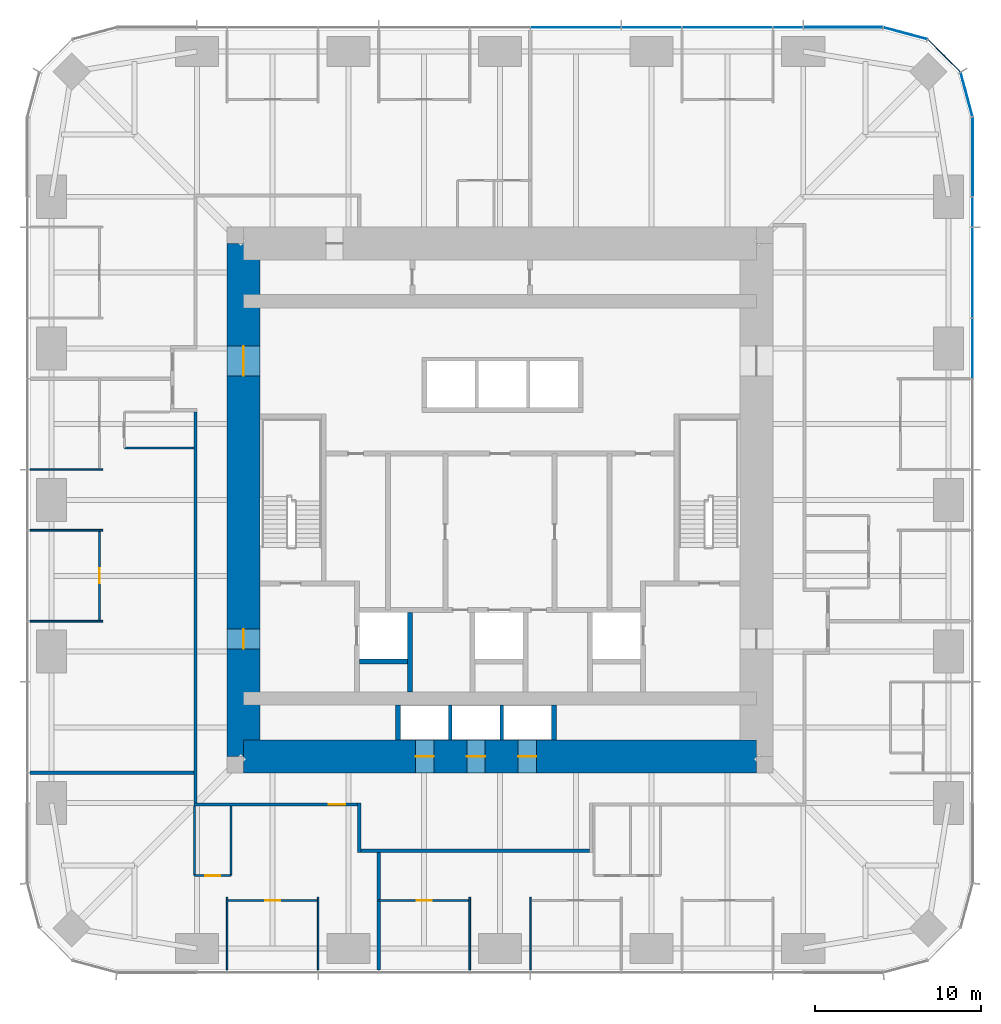
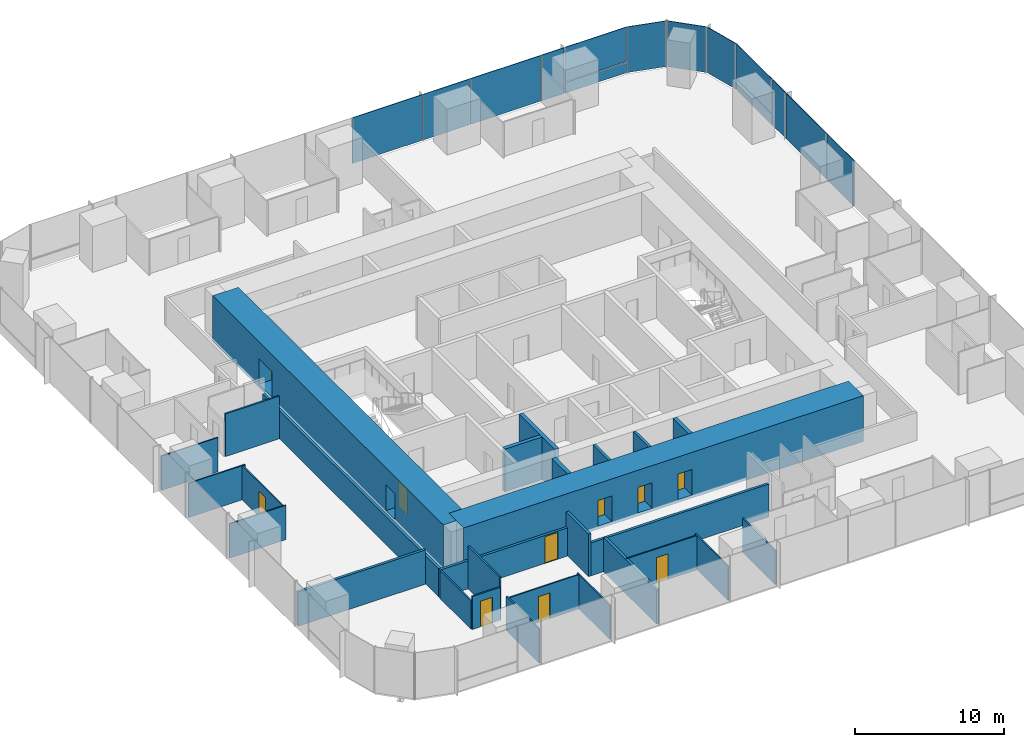
# One storey, part 8 of 12: 28 walls, 14 plates, 10 doors, 10 openings, 3 elements without a shape of their own.
"""IFC4 building model written with IfcOpenShell, lengths in metres."""

from ifc_helpers import new_model, si_unit, direction, frame, frame_2d, origin, origin_2d, place, context, subcontext, project, spatial, rectangle, extrude, material, layer, layer_set, type_object, element, fill, aggregate, save


model = new_model("IFC4")

# Units and contexts
model_context = context("Model", 3, precision=1e-05, world=origin(), true_north=direction((0.0, 1.0)))
body_context = subcontext(model_context, "Body", "Model", "MODEL_VIEW")
ifc_project = project(units=[si_unit("LENGTHUNIT", "METRE"), si_unit("AREAUNIT", "SQUARE_METRE"), si_unit("VOLUMEUNIT", "CUBIC_METRE"), si_unit("PLANEANGLEUNIT", "RADIAN"), si_unit("MASSUNIT", "GRAM", prefix="KILO")], contexts=[model_context])

# Site, building, storey
site_placement = place(None, origin())
site = spatial("IfcSite", under=ifc_project, at=site_placement, CompositionType="ELEMENT")
building_placement = place(site_placement, origin())
building = spatial("IfcBuilding", under=site, at=building_placement, Name="Khuree Lantern Residences", CompositionType="ELEMENT")
storey_placement = place(building_placement, frame((0.0, 0.0, 167.25)))
storey = spatial("IfcBuildingStorey", under=building, at=storey_placement, Name="L42", CompositionType="ELEMENT", Elevation=167.25)

# Curtain wall, plates
ifc_material_1 = material(Name="Bronze anodised aluminium", Category="aluminium")
curtain_wall_type_1 = type_object("IfcCurtainWallType", Name="CW-T2 TOWER CORNER CURTAIN WALL", PredefinedType="USERDEFINED", material=ifc_material_1)
curtain_wall_1_placement = place(storey_placement, origin())
curtain_wall_1 = element("IfcCurtainWall", 1, at=curtain_wall_1_placement, inside=storey, type_object=curtain_wall_type_1, Name="L42 NORTH-EAST CORNER CURTAIN WALL", ObjectType="Faceted corner curtain wall", PredefinedType="USERDEFINED")
ifc_material_2 = material(Name="Bronze tinted triple glazing", Category="glass")
ifc_layer_1 = layer(ifc_material_2, 0.048095703125)
ifc_layer_set_1 = layer_set([ifc_layer_1], Name="FACET PANEL P4")
plate_type_1 = type_object("IfcPlateType", Name="FACET PANEL P4", PredefinedType="CURTAIN_PANEL", material=ifc_layer_set_1)
plate_1_placement = place(storey_placement, frame((28.188720703125, 24.498046875, 0.0), z_axis=(0.0, 0.0, 1.0), x_axis=(-0.258819105321, 0.965925810153, 0.0)))
plate_1 = element("IfcPlate", 2, at=plate_1_placement, type_object=plate_type_1, Name="L42 NORTH-EAST CORNER PANEL 15.1", PredefinedType="CURTAIN_PANEL", context=body_context, shape_type="SweptSolid", body=[
    extrude(rectangle(XDim=2.71923828125, YDim=0.048095703125, at=origin_2d()), origin(), (0.0, 0.0, 1.0), 3.75),
])
plate_2_placement = place(storey_placement, frame((26.83837890625, 26.83837890625, 0.0), z_axis=(0.0, 0.0, 1.0), x_axis=(-0.707106781187, 0.707106781187, 0.0)))
plate_2 = element("IfcPlate", 3, at=plate_2_placement, type_object=plate_type_1, Name="L42 NORTH-EAST CORNER PANEL 16.1", PredefinedType="CURTAIN_PANEL", context=body_context, shape_type="SweptSolid", body=[
    extrude(rectangle(XDim=2.715087890625, YDim=0.048095703125, at=origin_2d()), origin(), (0.0, 0.0, 1.0), 3.75),
])
plate_3_placement = place(storey_placement, frame((24.498046875, 28.188720703125, 0.0), z_axis=(0.0, 0.0, 1.0), x_axis=(-0.965925810153, 0.258819105321, 0.0)))
plate_3 = element("IfcPlate", 4, at=plate_3_placement, type_object=plate_type_1, Name="L42 NORTH-EAST CORNER PANEL 17.1", PredefinedType="CURTAIN_PANEL", context=body_context, shape_type="SweptSolid", body=[
    extrude(rectangle(XDim=2.71923828125, YDim=0.048095703125, at=origin_2d()), origin(), (0.0, 0.0, 1.0), 3.75),
])
aggregate(curtain_wall_1, [plate_1, plate_2, plate_3])

# Curtain wall, plate
curtain_wall_type_2 = type_object("IfcCurtainWallType", Name="CW-T1 TOWER FACE CURTAIN WALL", PredefinedType="USERDEFINED", material=ifc_material_1)
curtain_wall_2_placement = place(storey_placement, origin())
curtain_wall_2 = element("IfcCurtainWall", 5, at=curtain_wall_2_placement, inside=storey, type_object=curtain_wall_type_2, Name="L42 EAST FACE CURTAIN WALL", ObjectType="Stick-built curtain wall", PredefinedType="USERDEFINED")
ifc_material_3 = material(Name="Bronze tinted triple glazing with a ceramic-fritted spandrel band", Category="glass")
ifc_layer_2 = layer(ifc_material_3, 0.048095703125)
ifc_layer_set_2 = layer_set([ifc_layer_2], Name="FIXED LIGHT PANEL P11")
plate_type_2 = type_object("IfcPlateType", Name="FIXED LIGHT PANEL P11", PredefinedType="CURTAIN_PANEL", material=ifc_layer_set_2)
plate_4_placement = place(storey_placement, frame((28.550048828125, 13.739990234375, 0.0), z_axis=(0.0, 0.0, 1.0), x_axis=(0.0, 1.0, 0.0)))
plate_4 = element("IfcPlate", 6, at=plate_4_placement, type_object=plate_type_2, Name="L42 EAST FACE PANEL 12.1", PredefinedType="CURTAIN_PANEL", context=body_context, shape_type="SweptSolid", body=[
    extrude(rectangle(XDim=5.430908203125, YDim=0.048095703125, at=origin_2d()), origin(), (0.0, 0.0, 1.0), 3.75),
])

# Curtain wall, plates
curtain_wall_3_placement = place(storey_placement, origin())
curtain_wall_3 = element("IfcCurtainWall", 7, at=curtain_wall_3_placement, inside=storey, type_object=curtain_wall_type_2, Name="L42 NORTH FACE CURTAIN WALL", ObjectType="Stick-built curtain wall", PredefinedType="USERDEFINED")
plate_5_placement = place(storey_placement, frame((13.739990234375, 28.550048828125, 0.0), z_axis=(0.0, 0.0, 1.0), x_axis=(-1.0, 0.0, 0.0)))
plate_5 = element("IfcPlate", 8, at=plate_5_placement, type_object=plate_type_2, Name="L42 NORTH FACE PANEL 20.1", PredefinedType="CURTAIN_PANEL", context=body_context, shape_type="SweptSolid", body=[
    extrude(rectangle(XDim=5.430908203125, YDim=0.048095703125, at=origin_2d()), origin(), (0.0, 0.0, 1.0), 3.75),
])
plate_6_placement = place(storey_placement, frame((4.580078125, 28.550048828125, 0.0), z_axis=(0.0, 0.0, 1.0), x_axis=(-1.0, 0.0, 0.0)))
plate_6 = element("IfcPlate", 9, at=plate_6_placement, type_object=plate_type_2, Name="L42 NORTH FACE PANEL 22.1", PredefinedType="CURTAIN_PANEL", context=body_context, shape_type="SweptSolid", body=[
    extrude(rectangle(XDim=5.430908203125, YDim=0.048095703125, at=origin_2d()), origin(), (0.0, 0.0, 1.0), 3.75),
])

# Plate
ifc_material_4 = material(Name="Bronze tinted triple glazing, two aluminium-framed sashes in one frame", Category="aluminium")
ifc_layer_3 = layer(ifc_material_4, 0.048095703125)
ifc_layer_set_3 = layer_set([ifc_layer_3], Name="SASH PAIR PANEL P12")
plate_type_3 = type_object("IfcPlateType", Name="SASH PAIR PANEL P12", PredefinedType="CURTAIN_PANEL", material=ifc_layer_set_3)
plate_7_placement = place(storey_placement, frame((28.550048828125, 9.159912109375, 0.0), z_axis=(0.0, 0.0, 1.0), x_axis=(0.0, 1.0, 0.0)))
plate_7 = element("IfcPlate", 10, at=plate_7_placement, type_object=plate_type_3, Name="L42 EAST FACE PANEL 11.1", PredefinedType="CURTAIN_PANEL", context=body_context, shape_type="SweptSolid", body=[
    extrude(rectangle(XDim=3.59912109375, YDim=0.048095703125, at=origin_2d()), origin(), (0.0, 0.0, 1.0), 3.75),
])

plate_8_placement = place(storey_placement, frame((9.159912109375, 28.550048828125, 0.0), z_axis=(0.0, 0.0, 1.0), x_axis=(-1.0, 0.0, 0.0)))
plate_8 = element("IfcPlate", 11, at=plate_8_placement, type_object=plate_type_3, Name="L42 NORTH FACE PANEL 21.1", PredefinedType="CURTAIN_PANEL", context=body_context, shape_type="SweptSolid", body=[
    extrude(rectangle(XDim=3.59912109375, YDim=0.048095703125, at=origin_2d()), origin(), (0.0, 0.0, 1.0), 3.75),
])

ifc_material_5 = material(Name="Bronze tinted triple glazing, aluminium-framed sash", Category="aluminium")
ifc_layer_4 = layer(ifc_material_5, 0.048095703125)
ifc_layer_set_4 = layer_set([ifc_layer_4], Name="SASH PANEL P3")
plate_type_4 = type_object("IfcPlateType", Name="SASH PANEL P3", PredefinedType="CURTAIN_PANEL", material=ifc_layer_set_4)
plate_9_placement = place(storey_placement, frame((28.550048828125, 17.404052734375, 0.0), z_axis=(0.0, 0.0, 1.0), x_axis=(0.0, 1.0, 0.0)))
plate_9 = element("IfcPlate", 12, at=plate_9_placement, type_object=plate_type_4, Name="L42 EAST FACE PANEL 13.1", PredefinedType="CURTAIN_PANEL", context=body_context, shape_type="SweptSolid", body=[
    extrude(rectangle(XDim=1.76708984375, YDim=0.048095703125, at=origin_2d()), origin(), (0.0, 0.0, 1.0), 3.75),
])

plate_10_placement = place(storey_placement, frame((17.404052734375, 28.550048828125, 0.0), z_axis=(0.0, 0.0, 1.0), x_axis=(-1.0, 0.0, 0.0)))
plate_10 = element("IfcPlate", 13, at=plate_10_placement, type_object=plate_type_4, Name="L42 NORTH FACE PANEL 19.1", PredefinedType="CURTAIN_PANEL", context=body_context, shape_type="SweptSolid", body=[
    extrude(rectangle(XDim=1.76708984375, YDim=0.048095703125, at=origin_2d()), origin(), (0.0, 0.0, 1.0), 3.75),
])

ifc_material_6 = material(Name="Bronze anodised aluminium insulated spandrel", Category="aluminium")
ifc_layer_5 = layer(ifc_material_6, 0.06005859375)
ifc_layer_set_5 = layer_set([ifc_layer_5], Name="SPANDREL PANEL P2")
plate_type_5 = type_object("IfcPlateType", Name="SPANDREL PANEL P2", PredefinedType="CURTAIN_PANEL", material=ifc_layer_set_5)
plate_11_placement = place(storey_placement, frame((28.550048828125, 20.73291015625, 0.0), z_axis=(0.0, 0.0, 1.0), x_axis=(0.0, 1.0, 0.0)))
plate_11 = element("IfcPlate", 14, at=plate_11_placement, type_object=plate_type_5, Name="L42 EAST FACE PANEL 14.1", PredefinedType="CURTAIN_PANEL", context=body_context, shape_type="SweptSolid", body=[
    extrude(rectangle(XDim=4.7607421875, YDim=0.06005859375, at=origin_2d()), origin(), (0.0, 0.0, 1.0), 0.867431640625),
])

plate_12_placement = place(storey_placement, frame((20.73291015625, 28.550048828125, 0.0), z_axis=(0.0, 0.0, 1.0), x_axis=(-1.0, 0.0, 0.0)))
plate_12 = element("IfcPlate", 15, at=plate_12_placement, type_object=plate_type_5, Name="L42 NORTH FACE PANEL 18.1", PredefinedType="CURTAIN_PANEL", context=body_context, shape_type="SweptSolid", body=[
    extrude(rectangle(XDim=4.7607421875, YDim=0.06005859375, at=origin_2d()), origin(), (0.0, 0.0, 1.0), 0.867431640625),
])

ifc_layer_6 = layer(ifc_material_2, 0.048095703125)
ifc_layer_set_6 = layer_set([ifc_layer_6], Name="VISION PANEL P1")
plate_type_6 = type_object("IfcPlateType", Name="VISION PANEL P1", PredefinedType="CURTAIN_PANEL", material=ifc_layer_set_6)
plate_13_placement = place(storey_placement, frame((28.550048828125, 20.7333984375, 0.9326171875), z_axis=(0.0, 0.0, 1.0), x_axis=(0.0, 1.0, 0.0)))
plate_13 = element("IfcPlate", 16, at=plate_13_placement, type_object=plate_type_6, Name="L42 EAST FACE PANEL 14.2", PredefinedType="CURTAIN_PANEL", context=body_context, shape_type="SweptSolid", body=[
    extrude(rectangle(XDim=4.761474609375, YDim=0.048095703125, at=origin_2d()), origin(), (0.0, 0.0, 1.0), 2.8173828125),
])

aggregate(curtain_wall_2, [plate_7, plate_4, plate_9, plate_11, plate_13])

plate_14_placement = place(storey_placement, frame((20.7333984375, 28.550048828125, 0.9326171875), z_axis=(0.0, 0.0, 1.0), x_axis=(-1.0, 0.0, 0.0)))
plate_14 = element("IfcPlate", 17, at=plate_14_placement, type_object=plate_type_6, Name="L42 NORTH FACE PANEL 18.2", PredefinedType="CURTAIN_PANEL", context=body_context, shape_type="SweptSolid", body=[
    extrude(rectangle(XDim=4.761474609375, YDim=0.048095703125, at=origin_2d()), origin(), (0.0, 0.0, 1.0), 2.8173828125),
])

aggregate(curtain_wall_3, [plate_12, plate_14, plate_10, plate_5, plate_8, plate_6])

# Wall
ifc_material_7 = material(Name="Moisture-resistant gypsum board on steel studs", Category="steel")
ifc_layer_7 = layer(ifc_material_7, 0.125)
ifc_layer_set_7 = layer_set([ifc_layer_7], Name="BATHROOM WALL BTW125")
wall_type_1 = type_object("IfcWallType", Name="BATHROOM WALL BTW125", PredefinedType="PARTITIONING", material=ifc_layer_set_7)
wall_1_placement = place(storey_placement, frame((-18.5, 3.1279296875, 0.0), z_axis=(0.0, 0.0, 1.0), x_axis=(-1.0, 0.0, 0.0)))
element("IfcWall", 18, at=wall_1_placement, inside=storey, type_object=wall_type_1, Name="L42 BATHROOM WALL 03", PredefinedType="PARTITIONING", context=body_context, shape_type="SweptSolid", body=[
    extrude(rectangle(XDim=4.199951171875, YDim=0.125, at=frame_2d((2.10009765625, 0.0))), origin(), (0.0, 0.0, 1.0), 3.5),
])

# Wall, opening, door
wall_2_placement = place(storey_placement, frame((-18.449951171875, -22.699951171875, 0.0), z_axis=(0.0, 0.0, 1.0), x_axis=(1.0, 0.0, 0.0)))
wall_2 = element("IfcWall", 19, at=wall_2_placement, inside=storey, type_object=wall_type_1, Name="L42 BATHROOM WALL 04", PredefinedType="PARTITIONING", context=body_context, shape_type="SweptSolid", body=[
    extrude(rectangle(XDim=2.199951171875, YDim=0.125, at=frame_2d((1.10009765625, 0.0))), origin(), (0.0, 0.0, 1.0), 2.699951171875),
])
opening_1_placement = place(wall_2_placement, frame((0.64990234375, 0.0, 0.0)))
opening_1 = element("IfcOpeningElement", 20, at=opening_1_placement, cuts=wall_2, Name="Opening 42-040", PredefinedType="OPENING", context=body_context, shape_type="SweptSolid", body=[
    extrude(rectangle(XDim=0.89990234375, YDim=2.10009765625, at=frame_2d((0.449951171875, 1.050048828125))), frame((0.0, 0.072509765625, 0.0), z_axis=(0.0, -1.0, 0.0), x_axis=(1.0, 0.0, 0.0)), (0.0, 0.0, 1.0), 0.14501953125),
])
ifc_material_8 = material(Name="Timber door leaf in hardwood frame", Category="wood")
door_type_1 = type_object("IfcDoorType", Name="BATHROOM DOOR 900X2100", OperationType="SINGLE_SWING_LEFT", PredefinedType="DOOR", material=ifc_material_8)
door_1_placement = place(opening_1_placement, origin())
door_1 = element("IfcDoor", 21, at=door_1_placement, inside=storey, type_object=door_type_1, Name="Bathroom door 42-040", OperationType="SINGLE_SWING_LEFT", OverallHeight=2.10009765625, OverallWidth=0.89990234375, PredefinedType="DOOR", context=body_context, shape_type="SweptSolid", body=[
    extrude(rectangle(XDim=0.89990234375, YDim=2.10009765625, at=frame_2d((0.449951171875, 1.050048828125))), frame((0.0, 0.02490234375, 0.0), z_axis=(0.0, -1.0, 0.0), x_axis=(1.0, 0.0, 0.0)), (0.0, 0.0, 1.0), 0.050048828125),
])
fill(opening_1, door_1)

# Walls
wall_3_placement = place(storey_placement, frame((-18.449951171875, -18.5, 0.0), z_axis=(0.0, 0.0, 1.0), x_axis=(0.0, -1.0, 0.0)))
element("IfcWall", 22, at=wall_3_placement, inside=storey, type_object=wall_type_1, Name="L42 BATHROOM WALL 04", PredefinedType="PARTITIONING", context=body_context, shape_type="SweptSolid", body=[
    extrude(rectangle(XDim=4.199951171875, YDim=0.125, at=frame_2d((2.10009765625, 0.0))), origin(), (0.0, 0.0, 1.0), 2.300048828125),
])
wall_4_placement = place(storey_placement, frame((-16.25, -18.5, 0.0), z_axis=(0.0, 0.0, 1.0), x_axis=(0.0, -1.0, 0.0)))
element("IfcWall", 23, at=wall_4_placement, inside=storey, type_object=wall_type_1, Name="L42 BATHROOM WALL 04", PredefinedType="PARTITIONING", context=body_context, shape_type="SweptSolid", body=[
    extrude(rectangle(XDim=4.199951171875, YDim=0.125, at=frame_2d((2.10009765625, 0.0))), origin(), (0.0, 0.0, 1.0), 3.5),
])
ifc_material_9 = material(Name="Dense concrete blockwork", Category="masonry")
ifc_layer_8 = layer(ifc_material_9, 0.300048828125)
ifc_layer_set_8 = layer_set([ifc_layer_8], Name="CORE PARTITION WALL CPW300 EI 120")
wall_type_2 = type_object("IfcWallType", Name="CORE PARTITION WALL CPW300 EI 120", PredefinedType="PARTITIONING", material=ifc_layer_set_8)
wall_5_placement = place(storey_placement, frame((-5.449951171875, -11.60009765625, 0.0), z_axis=(0.0, 0.0, 1.0), x_axis=(0.0, 1.0, 0.0)))
element("IfcWall", 24, at=wall_5_placement, inside=storey, type_object=wall_type_2, Name="L42 CORE WALL FL1E", PredefinedType="PARTITIONING", context=body_context, shape_type="SweptSolid", body=[
    extrude(rectangle(XDim=4.800048828125, YDim=0.300048828125, at=frame_2d((2.39990234375, 0.0))), origin(), (0.0, 0.0, 1.0), 3.5),
])
wall_6_placement = place(storey_placement, frame((-8.5, -9.75, 0.0), z_axis=(0.0, 0.0, 1.0), x_axis=(1.0, 0.0, 0.0)))
element("IfcWall", 25, at=wall_6_placement, inside=storey, type_object=wall_type_2, Name="L42 CORE WALL FL1S", PredefinedType="PARTITIONING", context=body_context, shape_type="SweptSolid", body=[
    extrude(rectangle(XDim=2.89990234375, YDim=0.300048828125, at=frame_2d((1.449951171875, 0.0))), origin(), (0.0, 0.0, 1.0), 3.5),
])
for number, where, z_axis, x_axis, name in (
    (26, (-6.14990234375, -14.5, 0.0), (0.0, 0.0, 1.0), (0.0, 1.0, 0.0), "L42 CORE WALL PMW"),
    (27, (3.25, -14.5, 0.0), (0.0, 0.0, 1.0), (0.0, 1.0, 0.0), "L42 CORE WALL PME"),
):
    element("IfcWall", number, at=place(storey_placement, frame(where, z_axis=z_axis, x_axis=x_axis)), inside=storey, type_object=wall_type_2, Name=name, PredefinedType="PARTITIONING", context=body_context, shape_type="SweptSolid", body=[
        extrude(rectangle(XDim=2.10009765625, YDim=0.300048828125, at=frame_2d((1.050048828125, 0.0))), origin(), (0.0, 0.0, 1.0), 3.5),
    ])
ifc_material_10 = material(Name="Gypsum board on steel studs", Category="steel")
ifc_layer_9 = layer(ifc_material_10, 0.199951171875)
ifc_layer_set_9 = layer_set([ifc_layer_9], Name="CORRIDOR WALL CRW200 EI 60")
wall_type_3 = type_object("IfcWallType", Name="CORRIDOR WALL CRW200 EI 60", PredefinedType="PARTITIONING", material=ifc_layer_set_9)
wall_7_placement = place(storey_placement, frame((-18.39990234375, 5.327880859375, 0.0), z_axis=(0.0, 0.0, 1.0), x_axis=(0.0, -1.0, 0.0)))
element("IfcWall", 28, at=wall_7_placement, inside=storey, type_object=wall_type_3, Name="L42 CORRIDOR WALL WEST 2", PredefinedType="PARTITIONING", context=body_context, shape_type="SweptSolid", body=[
    extrude(rectangle(XDim=23.6279296875, YDim=0.199951171875, at=frame_2d((11.81396484375, 0.0))), origin(), (0.0, 0.0, 1.0), 2.300048828125),
])
wall_8_placement = place(storey_placement, frame((-8.5, -18.300048828125, 0.0), z_axis=(0.0, 0.0, 1.0), x_axis=(0.0, -1.0, 0.0)))
element("IfcWall", 29, at=wall_8_placement, inside=storey, type_object=wall_type_3, Name="L42 LIFT LOBBY WALL", PredefinedType="PARTITIONING", context=body_context, shape_type="SweptSolid", body=[
    extrude(rectangle(XDim=3.0, YDim=0.199951171875, at=frame_2d((1.5, 0.0))), origin(), (0.0, 0.0, 1.0), 3.5),
])
wall_9_placement = place(storey_placement, frame((5.39990234375, -21.199951171875, 0.0), z_axis=(0.0, 0.0, 1.0), x_axis=(-1.0, 0.0, 0.0)))
element("IfcWall", 30, at=wall_9_placement, inside=storey, type_object=wall_type_3, Name="L42 LIFT LOBBY WALL", PredefinedType="PARTITIONING", context=body_context, shape_type="SweptSolid", body=[
    extrude(rectangle(XDim=13.7998046875, YDim=0.199951171875, at=frame_2d((6.89990234375, 0.0))), origin(), (0.0, 0.0, 1.0), 2.699951171875),
])

# Wall, opening, door
wall_10_placement = place(storey_placement, frame((-8.60009765625, -18.39990234375, 0.0), z_axis=(0.0, 0.0, 1.0), x_axis=(-1.0, 0.0, 0.0)))
wall_10 = element("IfcWall", 31, at=wall_10_placement, inside=storey, type_object=wall_type_3, Name="L42 CORRIDOR WALL SOUTH 2", PredefinedType="PARTITIONING", context=body_context, shape_type="SweptSolid", body=[
    extrude(rectangle(XDim=9.89990234375, YDim=0.199951171875, at=frame_2d((4.949951171875, 0.0))), origin(), (0.0, 0.0, 1.0), 2.300048828125),
])
opening_2_placement = place(wall_10_placement, frame((0.75, 0.0, 0.0)))
opening_2 = element("IfcOpeningElement", 32, at=opening_2_placement, cuts=wall_10, Name="Opening 42-041", PredefinedType="OPENING", context=body_context, shape_type="SweptSolid", body=[
    extrude(rectangle(XDim=1.0, YDim=2.199951171875, at=frame_2d((0.5, 1.10009765625))), frame((0.0, 0.10986328125, 0.0), z_axis=(0.0, -1.0, 0.0), x_axis=(1.0, 0.0, 0.0)), (0.0, 0.0, 1.0), 0.219970703125),
])
door_type_2 = type_object("IfcDoorType", Name="APARTMENT ENTRANCE DOOR 1000X2200 EI 30S", OperationType="SINGLE_SWING_LEFT", PredefinedType="DOOR", material=ifc_material_8)
door_2_placement = place(opening_2_placement, origin())
door_2 = element("IfcDoor", 33, at=door_2_placement, inside=storey, type_object=door_type_2, Name="Apartment 04 entrance door 42-041", OperationType="SINGLE_SWING_LEFT", OverallHeight=2.199951171875, OverallWidth=1.0, PredefinedType="DOOR", context=body_context, shape_type="SweptSolid", body=[
    extrude(rectangle(XDim=1.0, YDim=2.199951171875, at=frame_2d((0.5, 1.10009765625))), frame((0.0, 0.02490234375, 0.0), z_axis=(0.0, -1.0, 0.0), x_axis=(1.0, 0.0, 0.0)), (0.0, 0.0, 1.0), 0.050048828125),
])
fill(opening_2, door_2)

# Wall, openings, doors
ifc_material_11 = material(Name="Concrete C70/85", Category="concrete")
ifc_layer_10 = layer(ifc_material_11, 2.0)
ifc_layer_set_10 = layer_set([ifc_layer_10], Name="CW2000-C70 CORE WALL C70 2000")
wall_type_4 = type_object("IfcWallType", Name="CW2000-C70 CORE WALL C70 2000", PredefinedType="SHEAR", material=ifc_layer_set_10)
wall_11_placement = place(storey_placement, frame((-15.5, -15.5, -0.25), z_axis=(0.0, 0.0, 1.0), x_axis=(1.0, 0.0, 0.0)))
wall_11 = element("IfcWall", 34, at=wall_11_placement, inside=storey, type_object=wall_type_4, Name="Core wall S", PredefinedType="SHEAR", context=body_context, shape_type="SweptSolid", body=[
    extrude(rectangle(XDim=31.0, YDim=2.0, at=frame_2d((15.5, 0.0))), origin(), (0.0, 0.0, 1.0), 3.75),
])
opening_3_placement = place(wall_11_placement, frame((10.39990234375, 0.0, 0.25)))
opening_3 = element("IfcOpeningElement", 35, at=opening_3_placement, cuts=wall_11, Name="Opening 42-009", PredefinedType="OPENING", context=body_context, shape_type="SweptSolid", body=[
    extrude(rectangle(XDim=1.10009765625, YDim=2.10009765625, at=frame_2d((0.550048828125, 1.050048828125))), frame((0.0, 1.010009765625, 0.0), z_axis=(0.0, -1.0, 0.0), x_axis=(1.0, 0.0, 0.0)), (0.0, 0.0, 1.0), 2.02001953125),
])
opening_4_placement = place(wall_11_placement, frame((13.5, 0.0, 0.25)))
opening_4 = element("IfcOpeningElement", 36, at=opening_4_placement, cuts=wall_11, Name="Opening 42-010", PredefinedType="OPENING", context=body_context, shape_type="SweptSolid", body=[
    extrude(rectangle(XDim=1.10009765625, YDim=2.10009765625, at=frame_2d((0.550048828125, 1.050048828125))), frame((0.0, 1.010009765625, 0.0), z_axis=(0.0, -1.0, 0.0), x_axis=(1.0, 0.0, 0.0)), (0.0, 0.0, 1.0), 2.02001953125),
])
opening_5_placement = place(wall_11_placement, frame((16.60009765625, 0.0, 0.25)))
opening_5 = element("IfcOpeningElement", 37, at=opening_5_placement, cuts=wall_11, Name="Opening 42-011", PredefinedType="OPENING", context=body_context, shape_type="SweptSolid", body=[
    extrude(rectangle(XDim=1.10009765625, YDim=2.10009765625, at=frame_2d((0.550048828125, 1.050048828125))), frame((0.0, 1.010009765625, 0.0), z_axis=(0.0, -1.0, 0.0), x_axis=(1.0, 0.0, 0.0)), (0.0, 0.0, 1.0), 2.02001953125),
])
ifc_material_12 = material(Name="Stainless steel lift landing door", Category="steel")
door_type_3 = type_object("IfcDoorType", Name="LIFT LANDING DOOR 1100X2100 E 60", OperationType="DOUBLE_DOOR_SLIDING", PredefinedType="DOOR", material=ifc_material_12)
door_3_placement = place(opening_3_placement, origin())
door_3 = element("IfcDoor", 38, at=door_3_placement, inside=storey, type_object=door_type_3, Name="Landing door PM1 42-009", OperationType="DOUBLE_DOOR_SLIDING", OverallHeight=2.10009765625, OverallWidth=1.10009765625, PredefinedType="DOOR", context=body_context, shape_type="SweptSolid", body=[
    extrude(rectangle(XDim=1.10009765625, YDim=2.10009765625, at=frame_2d((0.550048828125, 1.050048828125))), frame((0.0, 0.02490234375, 0.0), z_axis=(0.0, -1.0, 0.0), x_axis=(1.0, 0.0, 0.0)), (0.0, 0.0, 1.0), 0.050048828125),
])
fill(opening_3, door_3)
door_4_placement = place(opening_4_placement, origin())
door_4 = element("IfcDoor", 39, at=door_4_placement, inside=storey, type_object=door_type_3, Name="Landing door PM2 42-010", OperationType="DOUBLE_DOOR_SLIDING", OverallHeight=2.10009765625, OverallWidth=1.10009765625, PredefinedType="DOOR", context=body_context, shape_type="SweptSolid", body=[
    extrude(rectangle(XDim=1.10009765625, YDim=2.10009765625, at=frame_2d((0.550048828125, 1.050048828125))), frame((0.0, 0.02490234375, 0.0), z_axis=(0.0, -1.0, 0.0), x_axis=(1.0, 0.0, 0.0)), (0.0, 0.0, 1.0), 0.050048828125),
])
fill(opening_4, door_4)
door_5_placement = place(opening_5_placement, origin())
door_5 = element("IfcDoor", 40, at=door_5_placement, inside=storey, type_object=door_type_3, Name="Landing door PM3 42-011", OperationType="DOUBLE_DOOR_SLIDING", OverallHeight=2.10009765625, OverallWidth=1.10009765625, PredefinedType="DOOR", context=body_context, shape_type="SweptSolid", body=[
    extrude(rectangle(XDim=1.10009765625, YDim=2.10009765625, at=frame_2d((0.550048828125, 1.050048828125))), frame((0.0, 0.02490234375, 0.0), z_axis=(0.0, -1.0, 0.0), x_axis=(1.0, 0.0, 0.0)), (0.0, 0.0, 1.0), 0.050048828125),
])
fill(opening_5, door_5)

wall_12_placement = place(storey_placement, frame((-15.5, -15.5, -0.25), z_axis=(0.0, 0.0, 1.0), x_axis=(0.0, 1.0, 0.0)))
wall_12 = element("IfcWall", 41, at=wall_12_placement, inside=storey, type_object=wall_type_4, Name="Core wall W", PredefinedType="SHEAR", context=body_context, shape_type="SweptSolid", body=[
    extrude(rectangle(XDim=31.0, YDim=2.0, at=frame_2d((15.5, 0.0))), origin(), (0.0, 0.0, 1.0), 3.75),
])
opening_6_placement = place(wall_12_placement, frame((6.5, 0.0, 0.25)))
opening_6 = element("IfcOpeningElement", 42, at=opening_6_placement, cuts=wall_12, Name="Opening 42-002", PredefinedType="OPENING", context=body_context, shape_type="SweptSolid", body=[
    extrude(rectangle(XDim=1.199951171875, YDim=2.10009765625, at=frame_2d((0.60009765625, 1.050048828125))), frame((0.0, 1.010009765625, 0.0), z_axis=(0.0, -1.0, 0.0), x_axis=(1.0, 0.0, 0.0)), (0.0, 0.0, 1.0), 2.02001953125),
])
opening_7_placement = place(wall_12_placement, frame((23.0, 0.0, 0.25)))
opening_7 = element("IfcOpeningElement", 43, at=opening_7_placement, cuts=wall_12, Name="Opening 42-003", PredefinedType="OPENING", context=body_context, shape_type="SweptSolid", body=[
    extrude(rectangle(XDim=1.800048828125, YDim=2.10009765625, at=frame_2d((0.89990234375, 1.050048828125))), frame((0.0, 1.010009765625, 0.0), z_axis=(0.0, -1.0, 0.0), x_axis=(1.0, 0.0, 0.0)), (0.0, 0.0, 1.0), 2.02001953125),
])
ifc_material_13 = material(Name="Steel door leaf in steel frame", Category="steel")
door_type_4 = type_object("IfcDoorType", Name="LOBBY DOOR 1200X2100 EI 120", OperationType="SINGLE_SWING_LEFT", PredefinedType="DOOR", material=ifc_material_13)
door_6_placement = place(opening_6_placement, origin())
door_6 = element("IfcDoor", 44, at=door_6_placement, inside=storey, type_object=door_type_4, Name="Firefighting lobby door 42-002", OperationType="SINGLE_SWING_LEFT", OverallHeight=2.10009765625, OverallWidth=1.199951171875, PredefinedType="DOOR", context=body_context, shape_type="SweptSolid", body=[
    extrude(rectangle(XDim=1.199951171875, YDim=2.10009765625, at=frame_2d((0.60009765625, 1.050048828125))), frame((0.0, 0.02490234375, 0.0), z_axis=(0.0, -1.0, 0.0), x_axis=(1.0, 0.0, 0.0)), (0.0, 0.0, 1.0), 0.050048828125),
])
fill(opening_6, door_6)
door_type_5 = type_object("IfcDoorType", Name="LOBBY DOUBLE DOOR 1800X2100 EI 60", OperationType="DOUBLE_DOOR_SINGLE_SWING", PredefinedType="DOOR", material=ifc_material_13)
door_7_placement = place(opening_7_placement, origin())
door_7 = element("IfcDoor", 45, at=door_7_placement, inside=storey, type_object=door_type_5, Name="Lift lobby door 42-003", OperationType="DOUBLE_DOOR_SINGLE_SWING", OverallHeight=2.10009765625, OverallWidth=1.800048828125, PredefinedType="DOOR", context=body_context, shape_type="SweptSolid", body=[
    extrude(rectangle(XDim=1.800048828125, YDim=2.10009765625, at=frame_2d((0.89990234375, 1.050048828125))), frame((0.0, 0.02490234375, 0.0), z_axis=(0.0, -1.0, 0.0), x_axis=(1.0, 0.0, 0.0)), (0.0, 0.0, 1.0), 0.050048828125),
])
fill(opening_7, door_7)

# Walls
ifc_layer_11 = layer(ifc_material_10, 0.199951171875)
ifc_layer_set_11 = layer_set([ifc_layer_11], Name="DEMISING WALL DMW200 EI 90")
wall_type_5 = type_object("IfcWallType", Name="DEMISING WALL DMW200 EI 90", PredefinedType="PARTITIONING", material=ifc_layer_set_11)
wall_13_placement = place(storey_placement, frame((-18.5, -16.488037109375, 0.0), z_axis=(0.0, 0.0, 1.0), x_axis=(-1.0, 0.0, 0.0)))
element("IfcWall", 46, at=wall_13_placement, inside=storey, type_object=wall_type_5, Name="L42 DEMISING WALL 04", PredefinedType="PARTITIONING", context=body_context, shape_type="SweptSolid", body=[
    extrude(rectangle(XDim=9.89990234375, YDim=0.199951171875, at=frame_2d((4.949951171875, 0.0))), origin(), (0.0, 0.0, 1.0), 2.81005859375),
])
wall_14_placement = place(storey_placement, frame((-7.327880859375, -21.300048828125, 0.0), z_axis=(0.0, 0.0, 1.0), x_axis=(0.0, -1.0, 0.0)))
element("IfcWall", 47, at=wall_14_placement, inside=storey, type_object=wall_type_5, Name="L42 DEMISING WALL 05", PredefinedType="PARTITIONING", context=body_context, shape_type="SweptSolid", body=[
    extrude(rectangle(XDim=7.099853515625, YDim=0.199951171875, at=frame_2d((3.5498046875, 0.0))), origin(), (0.0, 0.0, 1.0), 2.81005859375),
])
ifc_layer_12 = layer(ifc_material_10, 0.10009765625)
ifc_layer_set_12 = layer_set([ifc_layer_12], Name="PARTITION PT100")
wall_type_6 = type_object("IfcWallType", Name="PARTITION PT100", PredefinedType="PARTITIONING", material=ifc_layer_set_12)
for number, where, z_axis, x_axis, name in (
    (48, (-24.0, 1.83203125, 0.0), (0.0, 0.0, 1.0), (-1.0, 0.0, 0.0), "L42 PARTITION 03"),
    (49, (-24.0, -1.83203125, 0.0), (0.0, 0.0, 1.0), (-1.0, 0.0, 0.0), "L42 PARTITION 03"),
    (50, (-24.0, -7.327880859375, 0.0), (0.0, 0.0, 1.0), (-1.0, 0.0, 0.0), "L42 PARTITION 03"),
    (51, (-16.488037109375, -24.0, 0.0), (0.0, 0.0, 1.0), (0.0, -1.0, 0.0), "L42 PARTITION 04"),
    (52, (-10.991943359375, -24.0, 0.0), (0.0, 0.0, 1.0), (0.0, -1.0, 0.0), "L42 PARTITION 04"),
    (53, (-1.83203125, -24.0, 0.0), (0.0, 0.0, 1.0), (0.0, -1.0, 0.0), "L42 PARTITION 05"),
    (54, (1.83203125, -24.0, 0.0), (0.0, 0.0, 1.0), (0.0, -1.0, 0.0), "L42 PARTITION 05"),
):
    element("IfcWall", number, at=place(storey_placement, frame(where, z_axis=z_axis, x_axis=x_axis)), inside=storey, type_object=wall_type_6, Name=name, PredefinedType="PARTITIONING", context=body_context, shape_type="SweptSolid", body=[
        extrude(rectangle(XDim=4.39990234375, YDim=0.10009765625, at=frame_2d((2.199951171875, 0.0))), origin(), (0.0, 0.0, 1.0), 2.81005859375),
    ])

# Wall, opening, door
wall_15_placement = place(storey_placement, frame((-24.199951171875, -1.83203125, 0.0), z_axis=(0.0, 0.0, 1.0), x_axis=(0.0, -1.0, 0.0)))
wall_15 = element("IfcWall", 55, at=wall_15_placement, inside=storey, type_object=wall_type_6, Name="L42 PARTITION 03", PredefinedType="PARTITIONING", context=body_context, shape_type="SweptSolid", body=[
    extrude(rectangle(XDim=5.495849609375, YDim=0.10009765625, at=frame_2d((2.748046875, 0.0))), origin(), (0.0, 0.0, 1.0), 2.81005859375),
])
opening_8_placement = place(wall_15_placement, frame((2.298095703125, 0.0, 0.0)))
opening_8 = element("IfcOpeningElement", 56, at=opening_8_placement, cuts=wall_15, Name="Opening 42-036", PredefinedType="OPENING", context=body_context, shape_type="SweptSolid", body=[
    extrude(rectangle(XDim=0.89990234375, YDim=2.10009765625, at=frame_2d((0.449951171875, 1.050048828125))), frame((0.0, 0.06005859375, 0.0), z_axis=(0.0, -1.0, 0.0), x_axis=(1.0, 0.0, 0.0)), (0.0, 0.0, 1.0), 0.1201171875),
])
door_type_6 = type_object("IfcDoorType", Name="BEDROOM DOOR 900X2100", OperationType="SINGLE_SWING_LEFT", PredefinedType="DOOR", material=ifc_material_8)
door_8_placement = place(opening_8_placement, origin())
door_8 = element("IfcDoor", 57, at=door_8_placement, inside=storey, type_object=door_type_6, Name="Bedroom door 42-036", OperationType="SINGLE_SWING_LEFT", OverallHeight=2.10009765625, OverallWidth=0.89990234375, PredefinedType="DOOR", context=body_context, shape_type="SweptSolid", body=[
    extrude(rectangle(XDim=0.89990234375, YDim=2.10009765625, at=frame_2d((0.449951171875, 1.050048828125))), frame((0.0, 0.02490234375, 0.0), z_axis=(0.0, -1.0, 0.0), x_axis=(1.0, 0.0, 0.0)), (0.0, 0.0, 1.0), 0.050048828125),
])
fill(opening_8, door_8)

wall_16_placement = place(storey_placement, frame((-16.488037109375, -24.199951171875, 0.0), z_axis=(0.0, 0.0, 1.0), x_axis=(1.0, 0.0, 0.0)))
wall_16 = element("IfcWall", 58, at=wall_16_placement, inside=storey, type_object=wall_type_6, Name="L42 PARTITION 04", PredefinedType="PARTITIONING", context=body_context, shape_type="SweptSolid", body=[
    extrude(rectangle(XDim=5.49609375, YDim=0.10009765625, at=frame_2d((2.748046875, 0.0))), origin(), (0.0, 0.0, 1.0), 2.81005859375),
])
opening_9_placement = place(wall_16_placement, frame((2.298095703125, 0.0, 0.0)))
opening_9 = element("IfcOpeningElement", 59, at=opening_9_placement, cuts=wall_16, Name="Opening 42-039", PredefinedType="OPENING", context=body_context, shape_type="SweptSolid", body=[
    extrude(rectangle(XDim=0.89990234375, YDim=2.10009765625, at=frame_2d((0.449951171875, 1.050048828125))), frame((0.0, 0.06005859375, 0.0), z_axis=(0.0, -1.0, 0.0), x_axis=(1.0, 0.0, 0.0)), (0.0, 0.0, 1.0), 0.1201171875),
])
door_9_placement = place(opening_9_placement, origin())
door_9 = element("IfcDoor", 60, at=door_9_placement, inside=storey, type_object=door_type_6, Name="Bedroom door 42-039", OperationType="SINGLE_SWING_LEFT", OverallHeight=2.10009765625, OverallWidth=0.89990234375, PredefinedType="DOOR", context=body_context, shape_type="SweptSolid", body=[
    extrude(rectangle(XDim=0.89990234375, YDim=2.10009765625, at=frame_2d((0.449951171875, 1.050048828125))), frame((0.0, 0.02490234375, 0.0), z_axis=(0.0, -1.0, 0.0), x_axis=(1.0, 0.0, 0.0)), (0.0, 0.0, 1.0), 0.050048828125),
])
fill(opening_9, door_9)

wall_17_placement = place(storey_placement, frame((-7.327880859375, -24.199951171875, 0.0), z_axis=(0.0, 0.0, 1.0), x_axis=(1.0, 0.0, 0.0)))
wall_17 = element("IfcWall", 61, at=wall_17_placement, inside=storey, type_object=wall_type_6, Name="L42 PARTITION 05", PredefinedType="PARTITIONING", context=body_context, shape_type="SweptSolid", body=[
    extrude(rectangle(XDim=5.495849609375, YDim=0.10009765625, at=frame_2d((2.748046875, 0.0))), origin(), (0.0, 0.0, 1.0), 2.81005859375),
])
opening_10_placement = place(wall_17_placement, frame((2.298095703125, 0.0, 0.0)))
opening_10 = element("IfcOpeningElement", 62, at=opening_10_placement, cuts=wall_17, Name="Opening 42-042", PredefinedType="OPENING", context=body_context, shape_type="SweptSolid", body=[
    extrude(rectangle(XDim=0.89990234375, YDim=2.10009765625, at=frame_2d((0.449951171875, 1.050048828125))), frame((0.0, 0.06005859375, 0.0), z_axis=(0.0, -1.0, 0.0), x_axis=(1.0, 0.0, 0.0)), (0.0, 0.0, 1.0), 0.1201171875),
])
door_10_placement = place(opening_10_placement, origin())
door_10 = element("IfcDoor", 63, at=door_10_placement, inside=storey, type_object=door_type_6, Name="Bedroom door 42-042", OperationType="SINGLE_SWING_LEFT", OverallHeight=2.10009765625, OverallWidth=0.89990234375, PredefinedType="DOOR", context=body_context, shape_type="SweptSolid", body=[
    extrude(rectangle(XDim=0.89990234375, YDim=2.10009765625, at=frame_2d((0.449951171875, 1.050048828125))), frame((0.0, 0.02490234375, 0.0), z_axis=(0.0, -1.0, 0.0), x_axis=(1.0, 0.0, 0.0)), (0.0, 0.0, 1.0), 0.050048828125),
])
fill(opening_10, door_10)

# Walls
ifc_layer_13 = layer(ifc_material_9, 0.199951171875)
ifc_layer_set_13 = layer_set([ifc_layer_13], Name="SHAFT WALL SHW200 EI 120")
wall_type_7 = type_object("IfcWallType", Name="SHAFT WALL SHW200 EI 120", PredefinedType="PARTITIONING", material=ifc_layer_set_13)
for number, where, z_axis, x_axis, name in (
    (64, (-3.0, -14.5, 0.0), (0.0, 0.0, 1.0), (0.0, 1.0, 0.0), "L42 CORE WALL PMD1"),
    (65, (0.10009765625, -14.5, 0.0), (0.0, 0.0, 1.0), (0.0, 1.0, 0.0), "L42 CORE WALL PMD2"),
):
    element("IfcWall", number, at=place(storey_placement, frame(where, z_axis=z_axis, x_axis=x_axis)), inside=storey, type_object=wall_type_7, Name=name, PredefinedType="PARTITIONING", context=body_context, shape_type="SweptSolid", body=[
        extrude(rectangle(XDim=2.10009765625, YDim=0.199951171875, at=frame_2d((1.050048828125, 0.0))), origin(), (0.0, 0.0, 1.0), 3.5),
    ])

save(model, "model.ifc")
